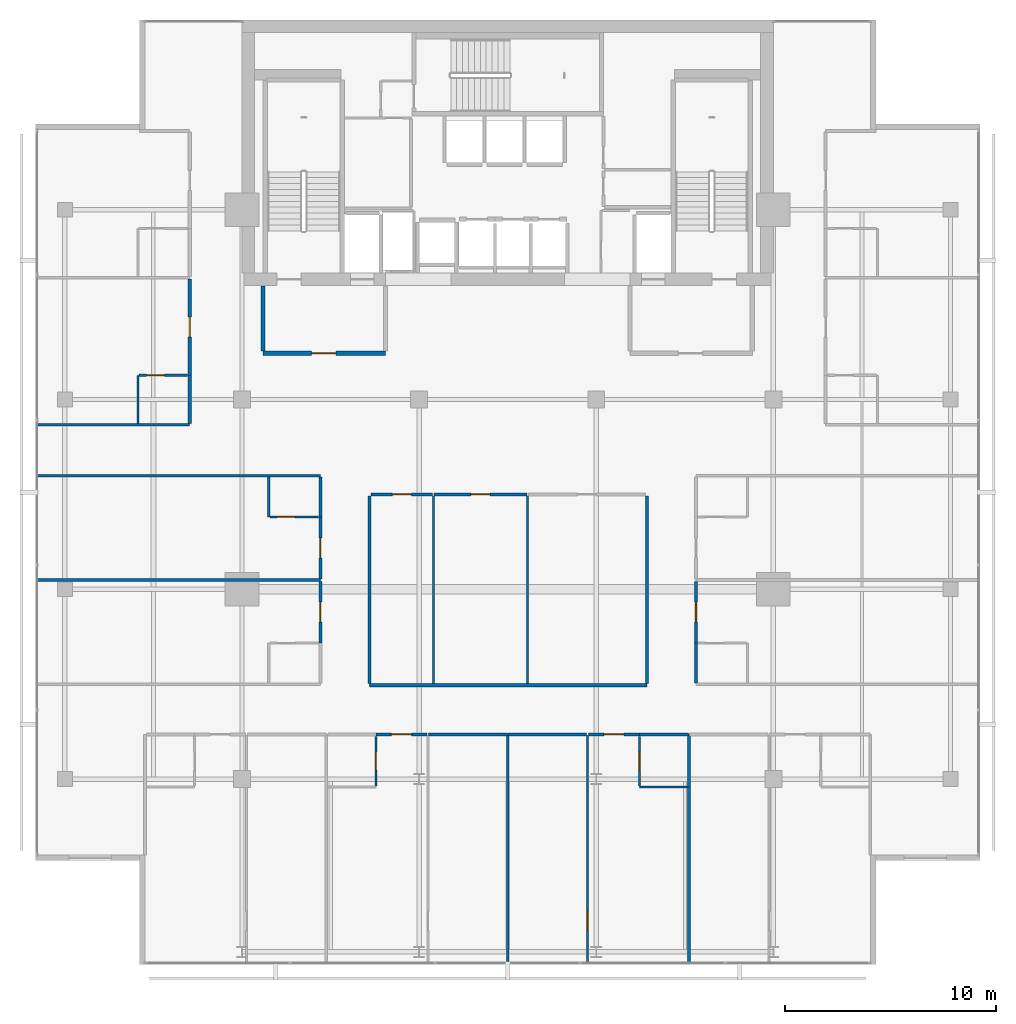
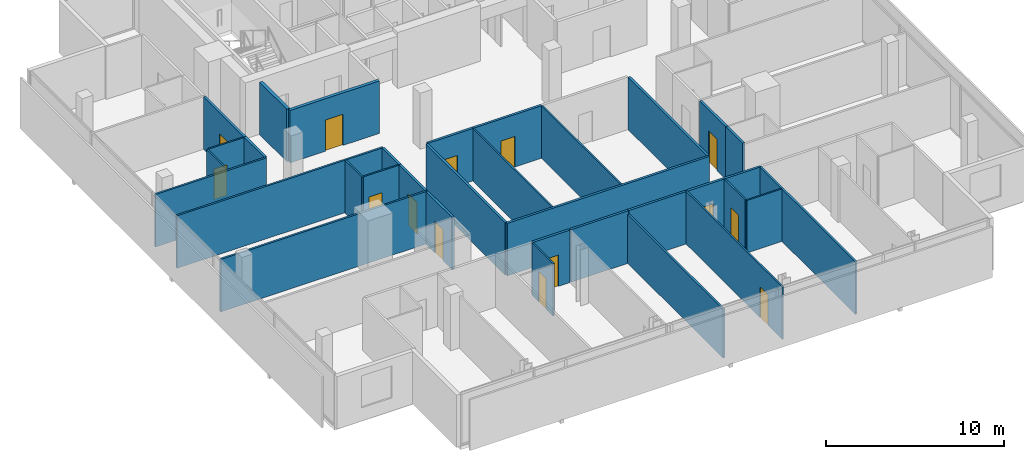
# One storey, part 20 of 25: 34 walls, 14 doors, 14 openings.
"""IFC4 building model written with IfcOpenShell, lengths in metres."""

from ifc_helpers import new_model, si_unit, direction, frame, frame_2d, origin, place, context, subcontext, project, spatial, rectangle, extrude, material, layer, layer_set, type_object, element, fill, save


model = new_model("IFC4")

# Units and contexts
model_context = context("Model", 3, precision=1e-05, world=origin(), true_north=direction((0.0, 1.0)))
body_context = subcontext(model_context, "Body", "Model", "MODEL_VIEW")
ifc_project = project(units=[si_unit("LENGTHUNIT", "METRE"), si_unit("AREAUNIT", "SQUARE_METRE"), si_unit("VOLUMEUNIT", "CUBIC_METRE"), si_unit("PLANEANGLEUNIT", "RADIAN"), si_unit("MASSUNIT", "GRAM", prefix="KILO")], contexts=[model_context])

# Site, building, storey
site_placement = place(None, origin())
site = spatial("IfcSite", under=ifc_project, at=site_placement, CompositionType="ELEMENT")
building_placement = place(site_placement, origin())
building = spatial("IfcBuilding", under=site, at=building_placement, Name="Maruvema Waterfront Hotel and Observation Tower", CompositionType="ELEMENT")
storey_placement = place(building_placement, frame((0.0, 0.0, 250.949951171875)))
storey = spatial("IfcBuildingStorey", under=building, at=storey_placement, Name="L61", CompositionType="ELEMENT", Elevation=250.949951171875)

# Walls
ifc_material_1 = material(Name="Twin-stud acoustic gypsum drywall", Category="gypsum")
ifc_layer_1 = layer(ifc_material_1, 0.14990234375, Name="Acoustic Corridor and Suite Demising Wall 150 mm")
ifc_layer_set_1 = layer_set([ifc_layer_1], Name="Twin-stud acoustic gypsum drywall")
wall_type_1 = type_object("IfcWallType", Name="Acoustic Corridor and Suite Demising Wall 150 mm", PredefinedType="PARTITIONING", material=ifc_layer_set_1)
wall_1_placement = place(storey_placement, frame((31.25, 22.449951171875, 0.0), z_axis=(0.0, 0.0, 1.0), x_axis=(1.0, 0.0, 0.0)))
element("IfcWall", 1, at=wall_1_placement, inside=storey, type_object=wall_type_1, Name="L61 L61-Z3M Back Wall 021", PredefinedType="PARTITIONING", context=body_context, shape_type="SweptSolid", body=[
    extrude(rectangle(XDim=13.14990234375, YDim=0.14990234375, at=frame_2d((6.574951171875, 0.0))), origin(), (0.0, 0.0, 1.0), 3.610107421875),
])
for number, where, z_axis, x_axis, name in (
    (2, (31.25, 22.530029296875, 0.0), (0.0, 0.0, 1.0), (0.0, 1.0, 0.0), "L61 L61-Z3M West Wall 022"),
    (3, (44.39990234375, 22.530029296875, 0.0), (0.0, 0.0, 1.0), (0.0, 1.0, 0.0), "L61 L61-Z3M East Wall 023"),
):
    element("IfcWall", number, at=place(storey_placement, frame(where, z_axis=z_axis, x_axis=x_axis)), inside=storey, type_object=wall_type_1, Name=name, PredefinedType="PARTITIONING", context=body_context, shape_type="SweptSolid", body=[
        extrude(rectangle(XDim=8.889892578125, YDim=0.14990234375, at=frame_2d((4.44482421875, 0.0))), origin(), (0.0, 0.0, 1.0), 3.610107421875),
    ])

# Wall, opening, door
wall_2_placement = place(storey_placement, frame((31.31005859375, 31.5, 0.0), z_axis=(0.0, 0.0, 1.0), x_axis=(1.0, 0.0, 0.0)))
wall_2 = element("IfcWall", 4, at=wall_2_placement, inside=storey, type_object=wall_type_1, Name="L61 L61-Z3M Front 1 024", PredefinedType="PARTITIONING", context=body_context, shape_type="SweptSolid", body=[
    extrude(rectangle(XDim=2.934326171875, YDim=0.14990234375, at=frame_2d((1.46728515625, 0.0))), origin(), (0.0, 0.0, 1.0), 3.610107421875),
])
opening_1_placement = place(wall_2_placement, frame((1.017333984375, 0.0, 0.0)))
opening_1 = element("IfcOpeningElement", 5, at=opening_1_placement, cuts=wall_2, Name="Opening DR-090", PredefinedType="OPENING", context=body_context, shape_type="SweptSolid", body=[
    extrude(rectangle(XDim=0.89990234375, YDim=2.10009765625, at=frame_2d((0.449951171875, 1.050048828125))), frame((0.0, 0.0849609375, 0.0), z_axis=(0.0, -1.0, 0.0), x_axis=(1.0, 0.0, 0.0)), (0.0, 0.0, 1.0), 0.169921875),
])
ifc_material_2 = material(Name="Solid-core lacquered timber leaf", Category="wood")
door_type_1 = type_object("IfcDoorType", Name="Accessible Toilet and Room Door 900x2100 mm", OperationType="NOTDEFINED", PredefinedType="DOOR", material=ifc_material_2)
door_1_placement = place(opening_1_placement, origin())
door_1 = element("IfcDoor", 6, at=door_1_placement, inside=storey, type_object=door_type_1, Name="L61 Sky Study Office 1 Door", OperationType="SINGLE_SWING_LEFT", OverallHeight=2.10009765625, OverallWidth=0.89990234375, PredefinedType="DOOR", context=body_context, shape_type="SweptSolid", body=[
    extrude(rectangle(XDim=0.89990234375, YDim=2.10009765625, at=frame_2d((0.449951171875, 1.050048828125))), frame((0.0, 0.02490234375, 0.0), z_axis=(0.0, -1.0, 0.0), x_axis=(1.0, 0.0, 0.0)), (0.0, 0.0, 1.0), 0.050048828125),
])
fill(opening_1, door_1)

wall_3_placement = place(storey_placement, frame((34.304443359375, 31.5, 0.0), z_axis=(0.0, 0.0, 1.0), x_axis=(1.0, 0.0, 0.0)))
wall_3 = element("IfcWall", 7, at=wall_3_placement, inside=storey, type_object=wall_type_1, Name="L61 L61-Z3M Front 2 026", PredefinedType="PARTITIONING", context=body_context, shape_type="SweptSolid", body=[
    extrude(rectangle(XDim=4.4111328125, YDim=0.14990234375, at=frame_2d((2.20556640625, 0.0))), origin(), (0.0, 0.0, 1.0), 3.610107421875),
])
opening_2_placement = place(wall_3_placement, frame((1.755615234375, 0.0, 0.0)))
opening_2 = element("IfcOpeningElement", 8, at=opening_2_placement, cuts=wall_3, Name="Opening DR-090", PredefinedType="OPENING", context=body_context, shape_type="SweptSolid", body=[
    extrude(rectangle(XDim=0.89990234375, YDim=2.10009765625, at=frame_2d((0.449951171875, 1.050048828125))), frame((0.0, 0.0849609375, 0.0), z_axis=(0.0, -1.0, 0.0), x_axis=(1.0, 0.0, 0.0)), (0.0, 0.0, 1.0), 0.169921875),
])
door_2_placement = place(opening_2_placement, origin())
door_2 = element("IfcDoor", 9, at=door_2_placement, inside=storey, type_object=door_type_1, Name="L61 Sky Study Office 2 Door", OperationType="SINGLE_SWING_RIGHT", OverallHeight=2.10009765625, OverallWidth=0.89990234375, PredefinedType="DOOR", context=body_context, shape_type="SweptSolid", body=[
    extrude(rectangle(XDim=0.89990234375, YDim=2.10009765625, at=frame_2d((0.449951171875, 1.050048828125))), frame((0.0, 0.02490234375, 0.0), z_axis=(0.0, -1.0, 0.0), x_axis=(1.0, 0.0, 0.0)), (0.0, 0.0, 1.0), 0.050048828125),
])
fill(opening_2, door_2)

wall_4_placement = place(storey_placement, frame((31.550048828125, 20.1201171875, 0.0), z_axis=(0.0, 0.0, 1.0), x_axis=(1.0, 0.0, 0.0)))
wall_4 = element("IfcWall", 10, at=wall_4_placement, inside=storey, type_object=wall_type_1, Name="L61 Unit L61-S2 Corridor Wall 041", PredefinedType="PARTITIONING", context=body_context, shape_type="SweptSolid", body=[
    extrude(rectangle(XDim=2.426025390625, YDim=0.14990234375, at=frame_2d((1.212890625, 0.0))), origin(), (0.0, 0.0, 1.0), 3.610107421875),
])
opening_3_placement = place(wall_4_placement, frame((0.738037109375, 0.0, 0.0)))
opening_3 = element("IfcOpeningElement", 11, at=opening_3_placement, cuts=wall_4, Name="Opening DR-095", PredefinedType="OPENING", context=body_context, shape_type="SweptSolid", body=[
    extrude(rectangle(XDim=0.949951171875, YDim=2.14990234375, at=frame_2d((0.47509765625, 1.074951171875))), frame((0.0, 0.0849609375, 0.0), z_axis=(0.0, -1.0, 0.0), x_axis=(1.0, 0.0, 0.0)), (0.0, 0.0, 1.0), 0.169921875),
])
ifc_material_3 = material(Name="Acoustic solid-core hardwood timber leaf", Category="wood")
door_type_2 = type_object("IfcDoorType", Name="Guestroom Entrance Fire Door 950x2150 mm", OperationType="NOTDEFINED", PredefinedType="DOOR", material=ifc_material_3)
door_3_placement = place(opening_3_placement, frame((0.949951171875, 0.0, 0.0), z_axis=(0.0, 0.0, 1.0), x_axis=(-1.0, 0.0, 0.0)))
door_3 = element("IfcDoor", 12, at=door_3_placement, inside=storey, type_object=door_type_2, Name="L61 Unit L61-S2 Entrance Door", OperationType="SINGLE_SWING_RIGHT", OverallHeight=2.14990234375, OverallWidth=0.949951171875, PredefinedType="DOOR", context=body_context, shape_type="SweptSolid", body=[
    extrude(rectangle(XDim=0.949951171875, YDim=2.14990234375, at=frame_2d((0.47509765625, 1.074951171875))), frame((0.0, 0.02490234375, 0.0), z_axis=(0.0, -1.0, 0.0), x_axis=(1.0, 0.0, 0.0)), (0.0, 0.0, 1.0), 0.050048828125),
])
fill(opening_3, door_3)

# Walls
wall_5_placement = place(storey_placement, frame((34.055908203125, 20.1201171875, 0.0), z_axis=(0.0, 0.0, 1.0), x_axis=(1.0, 0.0, 0.0)))
element("IfcWall", 13, at=wall_5_placement, inside=storey, type_object=wall_type_1, Name="L61 Bedroom L61-S2 Back Wall 042", PredefinedType="PARTITIONING", context=body_context, shape_type="SweptSolid", body=[
    extrude(rectangle(XDim=3.72412109375, YDim=0.14990234375, at=frame_2d((1.862060546875, 0.0))), origin(), (0.0, 0.0, 1.0), 3.610107421875),
])
wall_6_placement = place(storey_placement, frame((44.050048828125, 20.1201171875, 0.0), z_axis=(0.0, 0.0, 1.0), x_axis=(1.0, 0.0, 0.0)))
element("IfcWall", 14, at=wall_6_placement, inside=storey, type_object=wall_type_1, Name="L61 Bath L61-S3 Back Wall 045", PredefinedType="PARTITIONING", context=body_context, shape_type="SweptSolid", body=[
    extrude(rectangle(XDim=2.329833984375, YDim=0.14990234375, at=frame_2d((1.1650390625, 0.0))), origin(), (0.0, 0.0, 1.0), 3.610107421875),
])
wall_7_placement = place(storey_placement, frame((37.820068359375, 20.1201171875, 0.0), z_axis=(0.0, 0.0, 1.0), x_axis=(1.0, 0.0, 0.0)))
element("IfcWall", 15, at=wall_7_placement, inside=storey, type_object=wall_type_1, Name="L61 Bedroom L61-S3 Back Wall 048", PredefinedType="PARTITIONING", context=body_context, shape_type="SweptSolid", body=[
    extrude(rectangle(XDim=3.723876953125, YDim=0.14990234375, at=frame_2d((1.86181640625, 0.0))), origin(), (0.0, 0.0, 1.0), 3.610107421875),
])

# Wall, opening, door
wall_8_placement = place(storey_placement, frame((41.6240234375, 20.1201171875, 0.0), z_axis=(0.0, 0.0, 1.0), x_axis=(1.0, 0.0, 0.0)))
wall_8 = element("IfcWall", 16, at=wall_8_placement, inside=storey, type_object=wall_type_1, Name="L61 Unit L61-S3 Corridor Wall 049", PredefinedType="PARTITIONING", context=body_context, shape_type="SweptSolid", body=[
    extrude(rectangle(XDim=2.426025390625, YDim=0.14990234375, at=frame_2d((1.212890625, 0.0))), origin(), (0.0, 0.0, 1.0), 3.610107421875),
])
opening_4_placement = place(wall_8_placement, frame((0.738037109375, 0.0, 0.0)))
opening_4 = element("IfcOpeningElement", 17, at=opening_4_placement, cuts=wall_8, Name="Opening DR-095", PredefinedType="OPENING", context=body_context, shape_type="SweptSolid", body=[
    extrude(rectangle(XDim=0.949951171875, YDim=2.14990234375, at=frame_2d((0.47509765625, 1.074951171875))), frame((0.0, 0.0849609375, 0.0), z_axis=(0.0, -1.0, 0.0), x_axis=(1.0, 0.0, 0.0)), (0.0, 0.0, 1.0), 0.169921875),
])
door_4_placement = place(opening_4_placement, frame((0.949951171875, 0.0, 0.0), z_axis=(0.0, 0.0, 1.0), x_axis=(-1.0, 0.0, 0.0)))
door_4 = element("IfcDoor", 18, at=door_4_placement, inside=storey, type_object=door_type_2, Name="L61 Unit L61-S3 Entrance Door", OperationType="SINGLE_SWING_LEFT", OverallHeight=2.14990234375, OverallWidth=0.949951171875, PredefinedType="DOOR", context=body_context, shape_type="SweptSolid", body=[
    extrude(rectangle(XDim=0.949951171875, YDim=2.14990234375, at=frame_2d((0.47509765625, 1.074951171875))), frame((0.0, 0.02490234375, 0.0), z_axis=(0.0, -1.0, 0.0), x_axis=(1.0, 0.0, 0.0)), (0.0, 0.0, 1.0), 0.050048828125),
])
fill(opening_4, door_4)

wall_9_placement = place(storey_placement, frame((28.919921875, 24.449951171875, 0.0), z_axis=(0.0, 0.0, 1.0), x_axis=(0.0, 1.0, 0.0)))
wall_9 = element("IfcWall", 19, at=wall_9_placement, inside=storey, type_object=wall_type_1, Name="L61 Room L61-W1 Corridor Wall 063", PredefinedType="PARTITIONING", context=body_context, shape_type="SweptSolid", body=[
    extrude(rectangle(XDim=2.929931640625, YDim=0.14990234375, at=frame_2d((1.46484375, 0.0))), origin(), (0.0, 0.0, 1.0), 3.610107421875),
])
opening_5_placement = place(wall_9_placement, frame((0.989990234375, 0.0, 0.0)))
opening_5 = element("IfcOpeningElement", 20, at=opening_5_placement, cuts=wall_9, Name="Opening DR-095", PredefinedType="OPENING", context=body_context, shape_type="SweptSolid", body=[
    extrude(rectangle(XDim=0.949951171875, YDim=2.14990234375, at=frame_2d((0.47509765625, 1.074951171875))), frame((0.0, 0.0849609375, 0.0), z_axis=(0.0, -1.0, 0.0), x_axis=(1.0, 0.0, 0.0)), (0.0, 0.0, 1.0), 0.169921875),
])
door_5_placement = place(opening_5_placement, origin())
door_5 = element("IfcDoor", 21, at=door_5_placement, inside=storey, type_object=door_type_2, Name="L61 Room L61-W1 Entrance Door", OperationType="SINGLE_SWING_LEFT", OverallHeight=2.14990234375, OverallWidth=0.949951171875, PredefinedType="DOOR", context=body_context, shape_type="SweptSolid", body=[
    extrude(rectangle(XDim=0.949951171875, YDim=2.14990234375, at=frame_2d((0.47509765625, 1.074951171875))), frame((0.0, 0.02490234375, 0.0), z_axis=(0.0, -1.0, 0.0), x_axis=(1.0, 0.0, 0.0)), (0.0, 0.0, 1.0), 0.050048828125),
])
fill(opening_5, door_5)

# Wall
wall_10_placement = place(storey_placement, frame((46.72998046875, 22.56005859375, 0.0), z_axis=(0.0, 0.0, 1.0), x_axis=(0.0, 1.0, 0.0)))
element("IfcWall", 22, at=wall_10_placement, inside=storey, type_object=wall_type_1, Name="L61 Bath L61-E1 Wall 066", PredefinedType="PARTITIONING", context=body_context, shape_type="SweptSolid", body=[
    extrude(rectangle(XDim=1.889892578125, YDim=0.14990234375, at=frame_2d((0.94482421875, 0.0))), origin(), (0.0, 0.0, 1.0), 3.610107421875),
])

# Wall, opening, door
wall_11_placement = place(storey_placement, frame((46.72998046875, 24.449951171875, 0.0), z_axis=(0.0, 0.0, 1.0), x_axis=(0.0, 1.0, 0.0)))
wall_11 = element("IfcWall", 23, at=wall_11_placement, inside=storey, type_object=wall_type_1, Name="L61 Room L61-E1 Corridor Wall 067", PredefinedType="PARTITIONING", context=body_context, shape_type="SweptSolid", body=[
    extrude(rectangle(XDim=2.929931640625, YDim=0.14990234375, at=frame_2d((1.46484375, 0.0))), origin(), (0.0, 0.0, 1.0), 3.610107421875),
])
opening_6_placement = place(wall_11_placement, frame((0.989990234375, 0.0, 0.0)))
opening_6 = element("IfcOpeningElement", 24, at=opening_6_placement, cuts=wall_11, Name="Opening DR-095", PredefinedType="OPENING", context=body_context, shape_type="SweptSolid", body=[
    extrude(rectangle(XDim=0.949951171875, YDim=2.14990234375, at=frame_2d((0.47509765625, 1.074951171875))), frame((0.0, 0.0849609375, 0.0), z_axis=(0.0, -1.0, 0.0), x_axis=(1.0, 0.0, 0.0)), (0.0, 0.0, 1.0), 0.169921875),
])
door_6_placement = place(opening_6_placement, frame((0.949951171875, 0.0, 0.0), z_axis=(0.0, 0.0, 1.0), x_axis=(-1.0, 0.0, 0.0)))
door_6 = element("IfcDoor", 25, at=door_6_placement, inside=storey, type_object=door_type_2, Name="L61 Room L61-E1 Entrance Door", OperationType="SINGLE_SWING_LEFT", OverallHeight=2.14990234375, OverallWidth=0.949951171875, PredefinedType="DOOR", context=body_context, shape_type="SweptSolid", body=[
    extrude(rectangle(XDim=0.949951171875, YDim=2.14990234375, at=frame_2d((0.47509765625, 1.074951171875))), frame((0.0, 0.02490234375, 0.0), z_axis=(0.0, -1.0, 0.0), x_axis=(1.0, 0.0, 0.0)), (0.0, 0.0, 1.0), 0.050048828125),
])
fill(opening_6, door_6)

wall_12_placement = place(storey_placement, frame((28.919921875, 27.5, 0.0), z_axis=(0.0, 0.0, 1.0), x_axis=(0.0, 1.0, 0.0)))
wall_12 = element("IfcWall", 26, at=wall_12_placement, inside=storey, type_object=wall_type_1, Name="L61 Room L61-W2 Corridor Wall 072", PredefinedType="PARTITIONING", context=body_context, shape_type="SweptSolid", body=[
    extrude(rectangle(XDim=2.929931640625, YDim=0.14990234375, at=frame_2d((1.46484375, 0.0))), origin(), (0.0, 0.0, 1.0), 3.610107421875),
])
opening_7_placement = place(wall_12_placement, frame((0.989990234375, 0.0, 0.0)))
opening_7 = element("IfcOpeningElement", 27, at=opening_7_placement, cuts=wall_12, Name="Opening DR-095", PredefinedType="OPENING", context=body_context, shape_type="SweptSolid", body=[
    extrude(rectangle(XDim=0.949951171875, YDim=2.14990234375, at=frame_2d((0.47509765625, 1.074951171875))), frame((0.0, 0.0849609375, 0.0), z_axis=(0.0, -1.0, 0.0), x_axis=(1.0, 0.0, 0.0)), (0.0, 0.0, 1.0), 0.169921875),
])
door_7_placement = place(opening_7_placement, origin())
door_7 = element("IfcDoor", 28, at=door_7_placement, inside=storey, type_object=door_type_2, Name="L61 Room L61-W2 Entrance Door", OperationType="SINGLE_SWING_LEFT", OverallHeight=2.14990234375, OverallWidth=0.949951171875, PredefinedType="DOOR", context=body_context, shape_type="SweptSolid", body=[
    extrude(rectangle(XDim=0.949951171875, YDim=2.14990234375, at=frame_2d((0.47509765625, 1.074951171875))), frame((0.0, 0.02490234375, 0.0), z_axis=(0.0, -1.0, 0.0), x_axis=(1.0, 0.0, 0.0)), (0.0, 0.0, 1.0), 0.050048828125),
])
fill(opening_7, door_7)

# Walls
wall_13_placement = place(storey_placement, frame((28.919921875, 30.429931640625, 0.0), z_axis=(0.0, 0.0, 1.0), x_axis=(0.0, 1.0, 0.0)))
element("IfcWall", 29, at=wall_13_placement, inside=storey, type_object=wall_type_1, Name="L61 Bath L61-W2 Wall 073", PredefinedType="PARTITIONING", context=body_context, shape_type="SweptSolid", body=[
    extrude(rectangle(XDim=1.89013671875, YDim=0.14990234375, at=frame_2d((0.945068359375, 0.0))), origin(), (0.0, 0.0, 1.0), 3.610107421875),
])
wall_14_placement = place(storey_placement, frame((22.719970703125, 34.860107421875, 0.0), z_axis=(0.0, 0.0, 1.0), x_axis=(0.0, 1.0, 0.0)))
element("IfcWall", 30, at=wall_14_placement, inside=storey, type_object=wall_type_1, Name="L61 Bath L61-NW1 Wall 084", PredefinedType="PARTITIONING", context=body_context, shape_type="SweptSolid", body=[
    extrude(rectangle(XDim=2.289794921875, YDim=0.14990234375, at=frame_2d((1.14501953125, 0.0))), origin(), (0.0, 0.0, 1.0), 3.610107421875),
])

# Wall, opening, door
wall_15_placement = place(storey_placement, frame((22.719970703125, 37.14990234375, 0.0), z_axis=(0.0, 0.0, 1.0), x_axis=(0.0, 1.0, 0.0)))
wall_15 = element("IfcWall", 31, at=wall_15_placement, inside=storey, type_object=wall_type_1, Name="L61 Room L61-NW1 Corridor Wall 085", PredefinedType="PARTITIONING", context=body_context, shape_type="SweptSolid", body=[
    extrude(rectangle(XDim=4.558837890625, YDim=0.14990234375, at=frame_2d((2.279296875, 0.0))), origin(), (0.0, 0.0, 1.0), 3.610107421875),
])
opening_8_placement = place(wall_15_placement, frame((1.804443359375, 0.0, 0.0)))
opening_8 = element("IfcOpeningElement", 32, at=opening_8_placement, cuts=wall_15, Name="Opening DR-095", PredefinedType="OPENING", context=body_context, shape_type="SweptSolid", body=[
    extrude(rectangle(XDim=0.949951171875, YDim=2.14990234375, at=frame_2d((0.47509765625, 1.074951171875))), frame((0.0, 0.0849609375, 0.0), z_axis=(0.0, -1.0, 0.0), x_axis=(1.0, 0.0, 0.0)), (0.0, 0.0, 1.0), 0.169921875),
])
door_8_placement = place(opening_8_placement, origin())
door_8 = element("IfcDoor", 33, at=door_8_placement, inside=storey, type_object=door_type_2, Name="L61 Room L61-NW1 Entrance Door", OperationType="SINGLE_SWING_LEFT", OverallHeight=2.14990234375, OverallWidth=0.949951171875, PredefinedType="DOOR", context=body_context, shape_type="SweptSolid", body=[
    extrude(rectangle(XDim=0.949951171875, YDim=2.14990234375, at=frame_2d((0.47509765625, 1.074951171875))), frame((0.0, 0.02490234375, 0.0), z_axis=(0.0, -1.0, 0.0), x_axis=(1.0, 0.0, 0.0)), (0.0, 0.0, 1.0), 0.050048828125),
])
fill(opening_8, door_8)

# Walls
ifc_material_4 = material(Name="Moisture-resistant cement-board drywall", Category="gypsum")
ifc_layer_2 = layer(ifc_material_4, 0.10009765625, Name="En-Suite Moisture-Resistant Partition 100 mm")
ifc_layer_set_2 = layer_set([ifc_layer_2], Name="Moisture-resistant cement-board drywall")
wall_type_2 = type_object("IfcWallType", Name="En-Suite Moisture-Resistant Partition 100 mm", PredefinedType="PARTITIONING", material=ifc_layer_set_2)
for number, where, z_axis, x_axis, name in (
    (34, (34.2744140625, 22.530029296875, 0.0), (0.0, 0.0, 1.0), (0.0, 1.0, 0.0), "L61 L61-Z3M Split 1 025"),
    (35, (38.74560546875, 22.530029296875, 0.0), (0.0, 0.0, 1.0), (0.0, 1.0, 0.0), "L61 L61-Z3M Split 2 027"),
):
    element("IfcWall", number, at=place(storey_placement, frame(where, z_axis=z_axis, x_axis=x_axis)), inside=storey, type_object=wall_type_2, Name=name, PredefinedType="PARTITIONING", context=body_context, shape_type="SweptSolid", body=[
        extrude(rectangle(XDim=8.889892578125, YDim=0.10009765625, at=frame_2d((4.44482421875, 0.0))), origin(), (0.0, 0.0, 1.0), 3.610107421875),
    ])

# Wall, opening, door
wall_16_placement = place(storey_placement, frame((31.550048828125, 17.679931640625, 0.0), z_axis=(0.0, 0.0, 1.0), x_axis=(0.0, 1.0, 0.0)))
wall_16 = element("IfcWall", 36, at=wall_16_placement, inside=storey, type_object=wall_type_2, Name="L61 En-Suite L61-S2 East 040", PredefinedType="PARTITIONING", context=body_context, shape_type="SweptSolid", body=[
    extrude(rectangle(XDim=2.340087890625, YDim=0.10009765625, at=frame_2d((1.169921875, 0.0))), origin(), (0.0, 0.0, 1.0), 3.610107421875),
])
opening_9_placement = place(wall_16_placement, frame((0.7451171875, 0.0, 0.0)))
opening_9 = element("IfcOpeningElement", 37, at=opening_9_placement, cuts=wall_16, Name="Opening DR-085", PredefinedType="OPENING", context=body_context, shape_type="SweptSolid", body=[
    extrude(rectangle(XDim=0.85009765625, YDim=2.10009765625, at=frame_2d((0.425048828125, 1.050048828125))), frame((0.0, 0.06005859375, 0.0), z_axis=(0.0, -1.0, 0.0), x_axis=(1.0, 0.0, 0.0)), (0.0, 0.0, 1.0), 0.1201171875),
])
ifc_material_5 = material(Name="Moisture-resistant solid timber leaf", Category="wood")
door_type_3 = type_object("IfcDoorType", Name="En-Suite Bathroom Door 850x2100 mm", OperationType="NOTDEFINED", PredefinedType="DOOR", material=ifc_material_5)
door_9_placement = place(opening_9_placement, frame((0.85009765625, 0.0, 0.0), z_axis=(0.0, 0.0, 1.0), x_axis=(-1.0, 0.0, 0.0)))
door_9 = element("IfcDoor", 38, at=door_9_placement, inside=storey, type_object=door_type_3, Name="L61 En-Suite L61-S2 Door", OperationType="SINGLE_SWING_LEFT", OverallHeight=2.10009765625, OverallWidth=0.85009765625, PredefinedType="DOOR", context=body_context, shape_type="SweptSolid", body=[
    extrude(rectangle(XDim=0.85009765625, YDim=2.10009765625, at=frame_2d((0.425048828125, 1.050048828125))), frame((0.0, 0.02490234375, 0.0), z_axis=(0.0, -1.0, 0.0), x_axis=(1.0, 0.0, 0.0)), (0.0, 0.0, 1.0), 0.050048828125),
])
fill(opening_9, door_9)

# Wall
wall_17_placement = place(storey_placement, frame((44.050048828125, 17.6201171875, 0.0), z_axis=(0.0, 0.0, 1.0), x_axis=(1.0, 0.0, 0.0)))
element("IfcWall", 39, at=wall_17_placement, inside=storey, type_object=wall_type_2, Name="L61 En-Suite L61-S3 South 046", PredefinedType="PARTITIONING", context=body_context, shape_type="SweptSolid", body=[
    extrude(rectangle(XDim=2.31005859375, YDim=0.10009765625, at=frame_2d((1.155029296875, 0.0))), origin(), (0.0, 0.0, 1.0), 3.610107421875),
])

# Wall, opening, door
wall_18_placement = place(storey_placement, frame((44.050048828125, 17.679931640625, 0.0), z_axis=(0.0, 0.0, 1.0), x_axis=(0.0, 1.0, 0.0)))
wall_18 = element("IfcWall", 40, at=wall_18_placement, inside=storey, type_object=wall_type_2, Name="L61 En-Suite L61-S3 West 047", PredefinedType="PARTITIONING", context=body_context, shape_type="SweptSolid", body=[
    extrude(rectangle(XDim=2.340087890625, YDim=0.10009765625, at=frame_2d((1.169921875, 0.0))), origin(), (0.0, 0.0, 1.0), 3.610107421875),
])
opening_10_placement = place(wall_18_placement, frame((0.7451171875, 0.0, 0.0)))
opening_10 = element("IfcOpeningElement", 41, at=opening_10_placement, cuts=wall_18, Name="Opening DR-085", PredefinedType="OPENING", context=body_context, shape_type="SweptSolid", body=[
    extrude(rectangle(XDim=0.85009765625, YDim=2.10009765625, at=frame_2d((0.425048828125, 1.050048828125))), frame((0.0, 0.06005859375, 0.0), z_axis=(0.0, -1.0, 0.0), x_axis=(1.0, 0.0, 0.0)), (0.0, 0.0, 1.0), 0.1201171875),
])
door_10_placement = place(opening_10_placement, origin())
door_10 = element("IfcDoor", 42, at=door_10_placement, inside=storey, type_object=door_type_3, Name="L61 En-Suite L61-S3 Door", OperationType="SINGLE_SWING_RIGHT", OverallHeight=2.10009765625, OverallWidth=0.85009765625, PredefinedType="DOOR", context=body_context, shape_type="SweptSolid", body=[
    extrude(rectangle(XDim=0.85009765625, YDim=2.10009765625, at=frame_2d((0.425048828125, 1.050048828125))), frame((0.0, 0.02490234375, 0.0), z_axis=(0.0, -1.0, 0.0), x_axis=(1.0, 0.0, 0.0)), (0.0, 0.0, 1.0), 0.050048828125),
])
fill(opening_10, door_10)

wall_19_placement = place(storey_placement, frame((41.583984375, 9.22998046875, 0.0), z_axis=(0.0, 0.0, 1.0), x_axis=(0.0, 1.0, 0.0)))
wall_19 = element("IfcWall", 43, at=wall_19_placement, inside=storey, type_object=wall_type_2, Name="L61 Suite L61-S3 Split 050", PredefinedType="PARTITIONING", context=body_context, shape_type="SweptSolid", body=[
    extrude(rectangle(XDim=10.830078125, YDim=0.10009765625, at=frame_2d((5.4150390625, 0.0))), origin(), (0.0, 0.0, 1.0), 3.610107421875),
])
opening_11_placement = place(wall_19_placement, frame((1.60009765625, 0.0, 0.0)))
opening_11 = element("IfcOpeningElement", 44, at=opening_11_placement, cuts=wall_19, Name="Opening DR-090", PredefinedType="OPENING", context=body_context, shape_type="SweptSolid", body=[
    extrude(rectangle(XDim=0.89990234375, YDim=2.10009765625, at=frame_2d((0.449951171875, 1.050048828125))), frame((0.0, 0.06005859375, 0.0), z_axis=(0.0, -1.0, 0.0), x_axis=(1.0, 0.0, 0.0)), (0.0, 0.0, 1.0), 0.1201171875),
])
door_11_placement = place(opening_11_placement, frame((0.89990234375, 0.0, 0.0), z_axis=(0.0, 0.0, 1.0), x_axis=(-1.0, 0.0, 0.0)))
door_11 = element("IfcDoor", 45, at=door_11_placement, inside=storey, type_object=door_type_1, Name="L61 Suite L61-S3 Bedroom Door", OperationType="SINGLE_SWING_RIGHT", OverallHeight=2.10009765625, OverallWidth=0.89990234375, PredefinedType="DOOR", context=body_context, shape_type="SweptSolid", body=[
    extrude(rectangle(XDim=0.89990234375, YDim=2.10009765625, at=frame_2d((0.449951171875, 1.050048828125))), frame((0.0, 0.02490234375, 0.0), z_axis=(0.0, -1.0, 0.0), x_axis=(1.0, 0.0, 0.0)), (0.0, 0.0, 1.0), 0.050048828125),
])
fill(opening_11, door_11)

# Wall
wall_20_placement = place(storey_placement, frame((26.469970703125, 30.429931640625, 0.0), z_axis=(0.0, 0.0, 1.0), x_axis=(0.0, 1.0, 0.0)))
element("IfcWall", 46, at=wall_20_placement, inside=storey, type_object=wall_type_2, Name="L61 En-Suite L61-W2 W 074", PredefinedType="PARTITIONING", context=body_context, shape_type="SweptSolid", body=[
    extrude(rectangle(XDim=1.89013671875, YDim=0.10009765625, at=frame_2d((0.945068359375, 0.0))), origin(), (0.0, 0.0, 1.0), 3.610107421875),
])

# Wall, opening, door
wall_21_placement = place(storey_placement, frame((26.52001953125, 30.429931640625, 0.0), z_axis=(0.0, 0.0, 1.0), x_axis=(1.0, 0.0, 0.0)))
wall_21 = element("IfcWall", 47, at=wall_21_placement, inside=storey, type_object=wall_type_2, Name="L61 En-Suite L61-W2 S 075", PredefinedType="PARTITIONING", context=body_context, shape_type="SweptSolid", body=[
    extrude(rectangle(XDim=2.300048828125, YDim=0.10009765625, at=frame_2d((1.14990234375, 0.0))), origin(), (0.0, 0.0, 1.0), 3.610107421875),
])
opening_12_placement = place(wall_21_placement, frame((0.35009765625, 0.0, 0.0)))
opening_12 = element("IfcOpeningElement", 48, at=opening_12_placement, cuts=wall_21, Name="Opening DR-085", PredefinedType="OPENING", context=body_context, shape_type="SweptSolid", body=[
    extrude(rectangle(XDim=0.85009765625, YDim=2.10009765625, at=frame_2d((0.425048828125, 1.050048828125))), frame((0.0, 0.06005859375, 0.0), z_axis=(0.0, -1.0, 0.0), x_axis=(1.0, 0.0, 0.0)), (0.0, 0.0, 1.0), 0.1201171875),
])
door_12_placement = place(opening_12_placement, frame((0.85009765625, 0.0, 0.0), z_axis=(0.0, 0.0, 1.0), x_axis=(-1.0, 0.0, 0.0)))
door_12 = element("IfcDoor", 49, at=door_12_placement, inside=storey, type_object=door_type_3, Name="L61 En-Suite L61-W2 Door", OperationType="SINGLE_SWING_RIGHT", OverallHeight=2.10009765625, OverallWidth=0.85009765625, PredefinedType="DOOR", context=body_context, shape_type="SweptSolid", body=[
    extrude(rectangle(XDim=0.85009765625, YDim=2.10009765625, at=frame_2d((0.425048828125, 1.050048828125))), frame((0.0, 0.02490234375, 0.0), z_axis=(0.0, -1.0, 0.0), x_axis=(1.0, 0.0, 0.0)), (0.0, 0.0, 1.0), 0.050048828125),
])
fill(opening_12, door_12)

# Wall
wall_22_placement = place(storey_placement, frame((20.27001953125, 34.860107421875, 0.0), z_axis=(0.0, 0.0, 1.0), x_axis=(0.0, 1.0, 0.0)))
element("IfcWall", 50, at=wall_22_placement, inside=storey, type_object=wall_type_2, Name="L61 En-Suite L61-NW1 W 086", PredefinedType="PARTITIONING", context=body_context, shape_type="SweptSolid", body=[
    extrude(rectangle(XDim=2.289794921875, YDim=0.10009765625, at=frame_2d((1.14501953125, 0.0))), origin(), (0.0, 0.0, 1.0), 3.610107421875),
])

# Wall, opening, door
wall_23_placement = place(storey_placement, frame((20.320068359375, 37.14990234375, 0.0), z_axis=(0.0, 0.0, 1.0), x_axis=(1.0, 0.0, 0.0)))
wall_23 = element("IfcWall", 51, at=wall_23_placement, inside=storey, type_object=wall_type_2, Name="L61 En-Suite L61-NW1 N 087", PredefinedType="PARTITIONING", context=body_context, shape_type="SweptSolid", body=[
    extrude(rectangle(XDim=2.300048828125, YDim=0.10009765625, at=frame_2d((1.14990234375, 0.0))), origin(), (0.0, 0.0, 1.0), 3.610107421875),
])
opening_13_placement = place(wall_23_placement, frame((0.35009765625, 0.0, 0.0)))
opening_13 = element("IfcOpeningElement", 52, at=opening_13_placement, cuts=wall_23, Name="Opening DR-085", PredefinedType="OPENING", context=body_context, shape_type="SweptSolid", body=[
    extrude(rectangle(XDim=0.85009765625, YDim=2.10009765625, at=frame_2d((0.425048828125, 1.050048828125))), frame((0.0, 0.06005859375, 0.0), z_axis=(0.0, -1.0, 0.0), x_axis=(1.0, 0.0, 0.0)), (0.0, 0.0, 1.0), 0.1201171875),
])
door_13_placement = place(opening_13_placement, origin())
door_13 = element("IfcDoor", 53, at=door_13_placement, inside=storey, type_object=door_type_3, Name="L61 En-Suite L61-NW1 Door", OperationType="SINGLE_SWING_RIGHT", OverallHeight=2.10009765625, OverallWidth=0.85009765625, PredefinedType="DOOR", context=body_context, shape_type="SweptSolid", body=[
    extrude(rectangle(XDim=0.85009765625, YDim=2.10009765625, at=frame_2d((0.425048828125, 1.050048828125))), frame((0.0, 0.02490234375, 0.0), z_axis=(0.0, -1.0, 0.0), x_axis=(1.0, 0.0, 0.0)), (0.0, 0.0, 1.0), 0.050048828125),
])
fill(opening_13, door_13)

ifc_material_6 = material(Name="Autoclaved cellular concrete blockwork", Category="masonry")
ifc_layer_3 = layer(ifc_material_6, 0.199951171875, Name="Fire Compartment Masonry Wall 200 mm")
ifc_layer_set_3 = layer_set([ifc_layer_3], Name="Autoclaved cellular concrete blockwork")
wall_type_3 = type_object("IfcWallType", Name="Fire Compartment Masonry Wall 200 mm", PredefinedType="PARTITIONING", material=ifc_layer_set_3)
wall_24_placement = place(storey_placement, frame((26.199951171875, 38.199951171875, 0.0), z_axis=(0.0, 0.0, 1.0), x_axis=(1.0, 0.0, 0.0)))
wall_24 = element("IfcWall", 54, at=wall_24_placement, inside=storey, type_object=wall_type_3, Name="L61 FFL West South Wall 001", PredefinedType="PARTITIONING", context=body_context, shape_type="SweptSolid", body=[
    extrude(rectangle(XDim=5.800048828125, YDim=0.199951171875, at=frame_2d((2.89990234375, 0.0))), origin(), (0.0, 0.0, 1.0), 3.610107421875),
])
opening_14_placement = place(wall_24_placement, frame((2.300048828125, 0.0, 0.0)))
opening_14 = element("IfcOpeningElement", 55, at=opening_14_placement, cuts=wall_24, Name="Opening FD-115", PredefinedType="OPENING", context=body_context, shape_type="SweptSolid", body=[
    extrude(rectangle(XDim=1.14990234375, YDim=2.14990234375, at=frame_2d((0.574951171875, 1.074951171875))), frame((0.0, 0.10986328125, 0.0), z_axis=(0.0, -1.0, 0.0), x_axis=(1.0, 0.0, 0.0)), (0.0, 0.0, 1.0), 0.219970703125),
])
ifc_material_7 = material(Name="Fire-rated galvanised steel and vision glass", Category="steel")
door_type_4 = type_object("IfcDoorType", Name="Firefighting Lobby Fire Door 1150x2150 mm", OperationType="NOTDEFINED", PredefinedType="DOOR", material=ifc_material_7)
door_14_placement = place(opening_14_placement, frame((1.14990234375, 0.0, 0.0), z_axis=(0.0, 0.0, 1.0), x_axis=(-1.0, 0.0, 0.0)))
door_14 = element("IfcDoor", 56, at=door_14_placement, inside=storey, type_object=door_type_4, Name="L61 Firefighting Lobby West Door", OperationType="SINGLE_SWING_LEFT", OverallHeight=2.14990234375, OverallWidth=1.14990234375, PredefinedType="DOOR", context=body_context, shape_type="SweptSolid", body=[
    extrude(rectangle(XDim=1.14990234375, YDim=2.14990234375, at=frame_2d((0.574951171875, 1.074951171875))), frame((0.0, 0.02490234375, 0.0), z_axis=(0.0, -1.0, 0.0), x_axis=(1.0, 0.0, 0.0)), (0.0, 0.0, 1.0), 0.050048828125),
])
fill(opening_14, door_14)

# Walls
wall_25_placement = place(storey_placement, frame((26.199951171875, 38.31005859375, 0.0), z_axis=(0.0, 0.0, 1.0), x_axis=(0.0, 1.0, 0.0)))
element("IfcWall", 57, at=wall_25_placement, inside=storey, type_object=wall_type_3, Name="L61 FFL West West Wall 002", PredefinedType="PARTITIONING", context=body_context, shape_type="SweptSolid", body=[
    extrude(rectangle(XDim=3.06982421875, YDim=0.199951171875, at=frame_2d((1.534912109375, 0.0))), origin(), (0.0, 0.0, 1.0), 3.610107421875),
])
ifc_material_8 = material(Name="Acoustic gypsum plasterboard drywall", Category="gypsum")
ifc_layer_4 = layer(ifc_material_8, 0.125, Name="Guestroom Acoustic Demising Wall 125 mm")
ifc_layer_set_4 = layer_set([ifc_layer_4], Name="Acoustic gypsum plasterboard drywall")
wall_type_4 = type_object("IfcWallType", Name="Guestroom Acoustic Demising Wall 125 mm", PredefinedType="PARTITIONING", material=ifc_layer_set_4)
wall_26_placement = place(storey_placement, frame((37.800048828125, 9.300048828125, 0.0), z_axis=(0.0, 0.0, 1.0), x_axis=(0.0, 1.0, 0.0)))
element("IfcWall", 58, at=wall_26_placement, inside=storey, type_object=wall_type_4, Name="L61 Z3 S Demising 3 044", PredefinedType="PARTITIONING", context=body_context, shape_type="SweptSolid", body=[
    extrude(rectangle(XDim=10.820068359375, YDim=0.125, at=frame_2d((5.41015625, 0.0))), origin(), (0.0, 0.0, 1.0), 3.35205078125),
])
wall_27_placement = place(storey_placement, frame((46.39990234375, 9.300048828125, 0.0), z_axis=(0.0, 0.0, 1.0), x_axis=(0.0, 1.0, 0.0)))
element("IfcWall", 59, at=wall_27_placement, inside=storey, type_object=wall_type_4, Name="L61 Z3 S Demising 4 051", PredefinedType="PARTITIONING", context=body_context, shape_type="SweptSolid", body=[
    extrude(rectangle(XDim=10.820068359375, YDim=0.125, at=frame_2d((5.41015625, 0.0))), origin(), (0.0, 0.0, 1.0), 3.610107421875),
])
for number, where, z_axis, x_axis, name in (
    (60, (15.5, 32.3798828125, 0.0), (0.0, 0.0, 1.0), (1.0, 0.0, 0.0), "L61 Z3 W Top End 060"),
    (61, (15.5, 27.43994140625, 0.0), (0.0, 0.0, 1.0), (1.0, 0.0, 0.0), "L61 Z3 W Demising 2 070"),
):
    element("IfcWall", number, at=place(storey_placement, frame(where, z_axis=z_axis, x_axis=x_axis)), inside=storey, type_object=wall_type_4, Name=name, PredefinedType="PARTITIONING", context=body_context, shape_type="SweptSolid", body=[
        extrude(rectangle(XDim=13.419921875, YDim=0.125, at=frame_2d((6.7099609375, 0.0))), origin(), (0.0, 0.0, 1.0), 3.610107421875),
    ])
wall_28_placement = place(storey_placement, frame((15.5, 34.800048828125, 0.0), z_axis=(0.0, 0.0, 1.0), x_axis=(1.0, 0.0, 0.0)))
element("IfcWall", 62, at=wall_28_placement, inside=storey, type_object=wall_type_4, Name="L61 Z3 NW Bot End 080", PredefinedType="PARTITIONING", context=body_context, shape_type="SweptSolid", body=[
    extrude(rectangle(XDim=7.219970703125, YDim=0.125, at=frame_2d((3.60986328125, 0.0))), origin(), (0.0, 0.0, 1.0), 3.610107421875),
])

save(model, "model.ifc")
